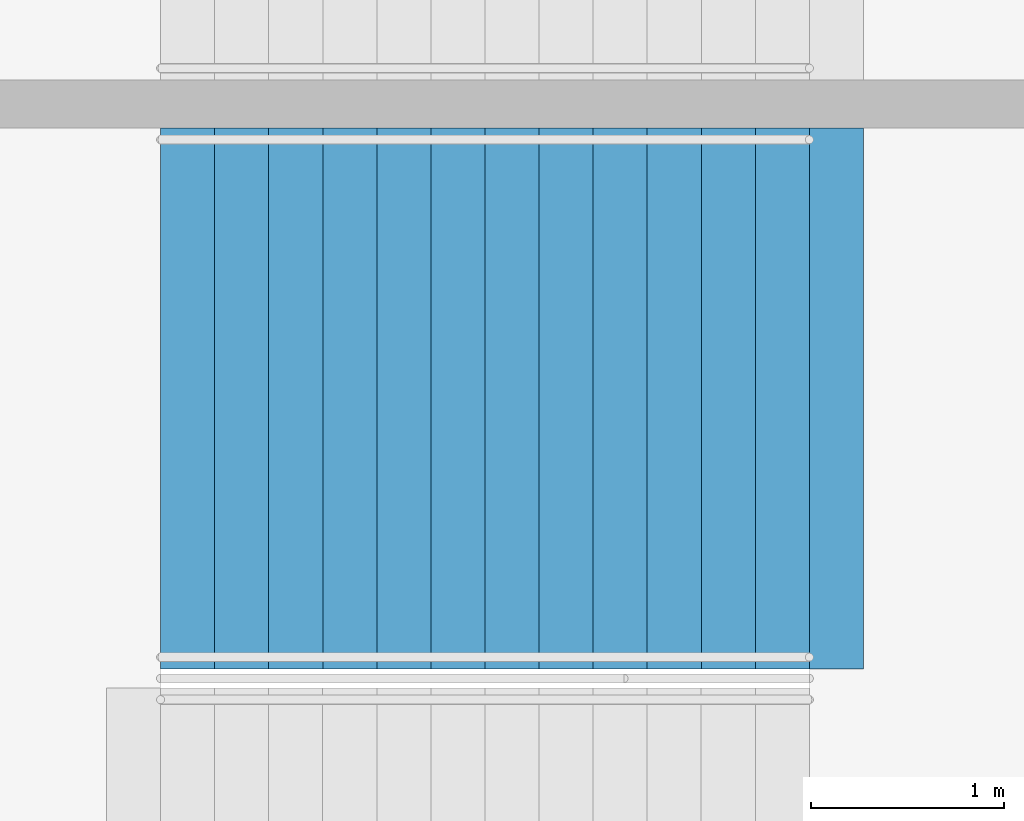
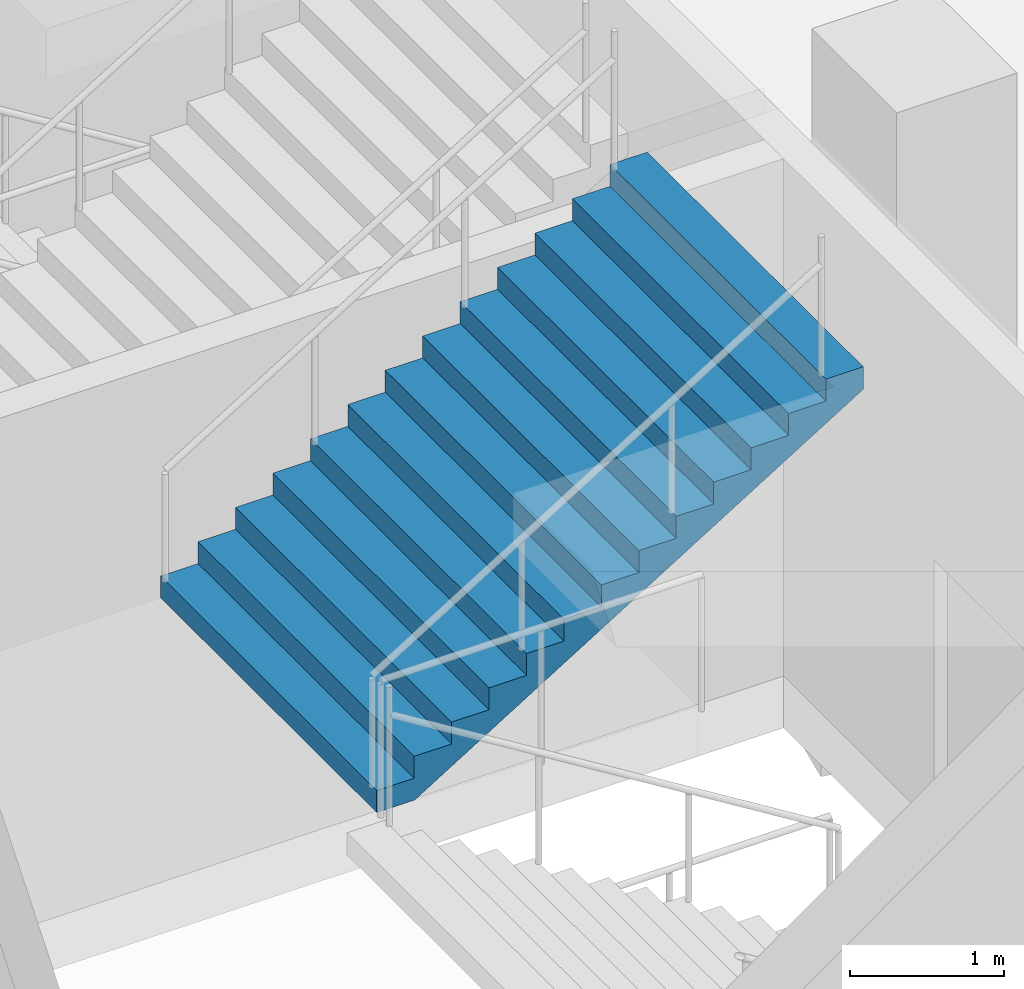
# One storey, part 191 of 249: 1 stair flight, 1 element without a shape of its own.
"""IFC4 building model written with IfcOpenShell, lengths in metres."""

from ifc_helpers import new_model, si_unit, direction, frame, origin, place, context, subcontext, project, spatial, faceted_brep, material, type_object, element, aggregate, save


model = new_model("IFC4")

# Units and contexts
model_context = context("Model", 3, precision=1e-05, world=origin(), true_north=direction((0.0, 1.0)))
body_context = subcontext(model_context, "Body", "Model", "MODEL_VIEW")
ifc_project = project(units=[si_unit("LENGTHUNIT", "METRE"), si_unit("AREAUNIT", "SQUARE_METRE"), si_unit("VOLUMEUNIT", "CUBIC_METRE"), si_unit("PLANEANGLEUNIT", "RADIAN"), si_unit("MASSUNIT", "GRAM", prefix="KILO")], contexts=[model_context])

# Site, building, storey
site_placement = place(None, origin())
site = spatial("IfcSite", under=ifc_project, at=site_placement, CompositionType="ELEMENT")
building_placement = place(site_placement, origin())
building = spatial("IfcBuilding", under=site, at=building_placement, Name="Ogive Plaza Stadium", CompositionType="ELEMENT")
storey_placement = place(building_placement, frame((0.0, 0.0, 13.5)))
storey = spatial("IfcBuildingStorey", under=building, at=storey_placement, Name="L03", CompositionType="ELEMENT", Elevation=13.5)

# Stair, stair flight
ifc_material_1 = material(Name="Concrete C40/50", Category="concrete")
stair_type = type_object("IfcStairType", Name="Exit stair", PredefinedType="STRAIGHT_RUN_STAIR", material=ifc_material_1)
stair_placement = place(storey_placement, origin())
stair = element("IfcStair", 1, at=stair_placement, inside=storey, type_object=stair_type, Name="Exit stair ST28B L03 to L04", PredefinedType="STRAIGHT_RUN_STAIR")
ifc_material_2 = material(Name="Concrete C40/50", Category="concrete")
stair_flight_type = type_object("IfcStairFlightType", Name="Exit stair flight", PredefinedType="STRAIGHT", material=ifc_material_2)
stair_flight_placement = place(storey_placement, frame((-79.7099609375, 50.97509765625, 2.25), z_axis=(0.0, 0.0, 1.0), x_axis=(1.0, 0.0, 0.0)))
stair_flight = element("IfcStairFlight", 2, at=stair_flight_placement, type_object=stair_flight_type, Name="ST28B flight 2", NumberOfRisers=13, NumberOfTreads=12, PredefinedType="STRAIGHT", RiserHeight=0.173076923, TreadLength=0.28, context=body_context, shape_type="Brep", body=[
    faceted_brep([(0.28515625, -1.39990234375, 0.0), (3.639892578125, -1.39990234375, 2.07373046875), (3.639892578125, -1.39990234375, 2.25), (3.360107421875, -1.39990234375, 2.25), (3.360107421875, -1.39990234375, 2.076904296875), (3.080078125, -1.39990234375, 2.076904296875), (3.080078125, -1.39990234375, 1.90380859375), (2.800048828125, -1.39990234375, 1.90380859375), (2.800048828125, -1.39990234375, 1.730712890625), (2.52001953125, -1.39990234375, 1.730712890625), (2.52001953125, -1.39990234375, 1.5576171875), (2.239990234375, -1.39990234375, 1.5576171875), (2.239990234375, -1.39990234375, 1.384521484375), (1.9599609375, -1.39990234375, 1.384521484375), (1.9599609375, -1.39990234375, 1.21142578125), (1.679931640625, -1.39990234375, 1.21142578125), (1.679931640625, -1.39990234375, 1.03857421875), (1.39990234375, -1.39990234375, 1.03857421875), (1.39990234375, -1.39990234375, 0.865478515625), (1.1201171875, -1.39990234375, 0.865478515625), (1.1201171875, -1.39990234375, 0.6923828125), (0.840087890625, -1.39990234375, 0.6923828125), (0.840087890625, -1.39990234375, 0.519287109375), (0.56005859375, -1.39990234375, 0.519287109375), (0.56005859375, -1.39990234375, 0.34619140625), (0.280029296875, -1.39990234375, 0.34619140625), (0.280029296875, -1.39990234375, 0.173095703125), (0.0, -1.39990234375, 0.173095703125), (0.0, -1.39990234375, 0.0), (0.0, 1.39990234375, 0.0), (0.0, 1.39990234375, 0.173095703125), (0.280029296875, 1.39990234375, 0.173095703125), (0.280029296875, 1.39990234375, 0.34619140625), (0.56005859375, 1.39990234375, 0.34619140625), (0.56005859375, 1.39990234375, 0.519287109375), (0.840087890625, 1.39990234375, 0.519287109375), (0.840087890625, 1.39990234375, 0.6923828125), (1.1201171875, 1.39990234375, 0.6923828125), (1.1201171875, 1.39990234375, 0.865478515625), (1.39990234375, 1.39990234375, 0.865478515625), (1.39990234375, 1.39990234375, 1.03857421875), (1.679931640625, 1.39990234375, 1.03857421875), (1.679931640625, 1.39990234375, 1.21142578125), (1.9599609375, 1.39990234375, 1.21142578125), (1.9599609375, 1.39990234375, 1.384521484375), (2.239990234375, 1.39990234375, 1.384521484375), (2.239990234375, 1.39990234375, 1.5576171875), (2.52001953125, 1.39990234375, 1.5576171875), (2.52001953125, 1.39990234375, 1.730712890625), (2.800048828125, 1.39990234375, 1.730712890625), (2.800048828125, 1.39990234375, 1.90380859375), (3.080078125, 1.39990234375, 1.90380859375), (3.080078125, 1.39990234375, 2.076904296875), (3.360107421875, 1.39990234375, 2.076904296875), (3.360107421875, 1.39990234375, 2.25), (3.639892578125, 1.39990234375, 2.25), (3.639892578125, 1.39990234375, 2.07373046875), (0.28515625, 1.39990234375, 0.0), (0.28515625, -1.0888671875, 0.0), (3.639892578125, -1.0888671875, 2.07373046875), (0.28515625, -0.77783203125, 0.0), (3.639892578125, -0.77783203125, 2.07373046875), (0.28515625, -0.466796875, 0.0), (3.639892578125, -0.466796875, 2.07373046875), (0.28515625, -0.155517578125, 0.0), (3.639892578125, -0.155517578125, 2.07373046875), (0.28515625, 0.155517578125, 0.0), (3.639892578125, 0.155517578125, 2.07373046875), (0.28515625, 0.466796875, 0.0), (3.639892578125, 0.466796875, 2.07373046875), (0.28515625, 0.77783203125, 0.0), (3.639892578125, 0.77783203125, 2.07373046875), (0.28515625, 1.0888671875, 0.0), (3.639892578125, 1.0888671875, 2.07373046875), (3.639892578125, -1.0888671875, 2.25), (3.639892578125, -0.77783203125, 2.25), (3.639892578125, -0.466796875, 2.25), (3.639892578125, -0.155517578125, 2.25), (3.639892578125, 0.155517578125, 2.25), (3.639892578125, 0.466796875, 2.25), (3.639892578125, 0.77783203125, 2.25), (3.639892578125, 1.0888671875, 2.25), (3.360107421875, -1.0888671875, 2.25), (3.360107421875, -0.77783203125, 2.25), (3.360107421875, -0.466796875, 2.25), (3.360107421875, -0.155517578125, 2.25), (3.360107421875, 0.155517578125, 2.25), (3.360107421875, 0.466796875, 2.25), (3.360107421875, 0.77783203125, 2.25), (3.360107421875, 1.0888671875, 2.25), (3.360107421875, -1.0888671875, 2.076904296875), (3.360107421875, -0.77783203125, 2.076904296875), (3.360107421875, -0.466796875, 2.076904296875), (3.360107421875, -0.155517578125, 2.076904296875), (3.360107421875, 0.155517578125, 2.076904296875), (3.360107421875, 0.466796875, 2.076904296875), (3.360107421875, 0.77783203125, 2.076904296875), (3.360107421875, 1.0888671875, 2.076904296875), (3.080078125, -1.0888671875, 2.076904296875), (3.080078125, -0.77783203125, 2.076904296875), (3.080078125, -0.466796875, 2.076904296875), (3.080078125, -0.155517578125, 2.076904296875), (3.080078125, 0.155517578125, 2.076904296875), (3.080078125, 0.466796875, 2.076904296875), (3.080078125, 0.77783203125, 2.076904296875), (3.080078125, 1.0888671875, 2.076904296875), (3.080078125, -1.0888671875, 1.90380859375), (3.080078125, -0.77783203125, 1.90380859375), (3.080078125, -0.466796875, 1.90380859375), (3.080078125, -0.155517578125, 1.90380859375), (3.080078125, 0.155517578125, 1.90380859375), (3.080078125, 0.466796875, 1.90380859375), (3.080078125, 0.77783203125, 1.90380859375), (3.080078125, 1.0888671875, 1.90380859375), (2.800048828125, -1.0888671875, 1.90380859375), (2.800048828125, -0.77783203125, 1.90380859375), (2.800048828125, -0.466796875, 1.90380859375), (2.800048828125, -0.155517578125, 1.90380859375), (2.800048828125, 0.155517578125, 1.90380859375), (2.800048828125, 0.466796875, 1.90380859375), (2.800048828125, 0.77783203125, 1.90380859375), (2.800048828125, 1.0888671875, 1.90380859375), (2.800048828125, -1.0888671875, 1.730712890625), (2.800048828125, -0.77783203125, 1.730712890625), (2.800048828125, -0.466796875, 1.730712890625), (2.800048828125, -0.155517578125, 1.730712890625), (2.800048828125, 0.155517578125, 1.730712890625), (2.800048828125, 0.466796875, 1.730712890625), (2.800048828125, 0.77783203125, 1.730712890625), (2.800048828125, 1.0888671875, 1.730712890625), (2.52001953125, -1.0888671875, 1.730712890625), (2.52001953125, -0.77783203125, 1.730712890625), (2.52001953125, -0.466796875, 1.730712890625), (2.52001953125, -0.155517578125, 1.730712890625), (2.52001953125, 0.155517578125, 1.730712890625), (2.52001953125, 0.466796875, 1.730712890625), (2.52001953125, 0.77783203125, 1.730712890625), (2.52001953125, 1.0888671875, 1.730712890625), (2.52001953125, -1.0888671875, 1.5576171875), (2.52001953125, -0.77783203125, 1.5576171875), (2.52001953125, -0.466796875, 1.5576171875), (2.52001953125, -0.155517578125, 1.5576171875), (2.52001953125, 0.155517578125, 1.5576171875), (2.52001953125, 0.466796875, 1.5576171875), (2.52001953125, 0.77783203125, 1.5576171875), (2.52001953125, 1.0888671875, 1.5576171875), (2.239990234375, -1.0888671875, 1.5576171875), (2.239990234375, -0.77783203125, 1.5576171875), (2.239990234375, -0.466796875, 1.5576171875), (2.239990234375, -0.155517578125, 1.5576171875), (2.239990234375, 0.155517578125, 1.5576171875), (2.239990234375, 0.466796875, 1.5576171875), (2.239990234375, 0.77783203125, 1.5576171875), (2.239990234375, 1.0888671875, 1.5576171875), (2.239990234375, -1.0888671875, 1.384521484375), (2.239990234375, -0.77783203125, 1.384521484375), (2.239990234375, -0.466796875, 1.384521484375), (2.239990234375, -0.155517578125, 1.384521484375), (2.239990234375, 0.155517578125, 1.384521484375), (2.239990234375, 0.466796875, 1.384521484375), (2.239990234375, 0.77783203125, 1.384521484375), (2.239990234375, 1.0888671875, 1.384521484375), (1.9599609375, -1.0888671875, 1.384521484375), (1.9599609375, -0.77783203125, 1.384521484375), (1.9599609375, -0.466796875, 1.384521484375), (1.9599609375, -0.155517578125, 1.384521484375), (1.9599609375, 0.155517578125, 1.384521484375), (1.9599609375, 0.466796875, 1.384521484375), (1.9599609375, 0.77783203125, 1.384521484375), (1.9599609375, 1.0888671875, 1.384521484375), (1.9599609375, -1.0888671875, 1.21142578125), (1.9599609375, -0.77783203125, 1.21142578125), (1.9599609375, -0.466796875, 1.21142578125), (1.9599609375, -0.155517578125, 1.21142578125), (1.9599609375, 0.155517578125, 1.21142578125), (1.9599609375, 0.466796875, 1.21142578125), (1.9599609375, 0.77783203125, 1.21142578125), (1.9599609375, 1.0888671875, 1.21142578125), (1.679931640625, -1.0888671875, 1.21142578125), (1.679931640625, -0.77783203125, 1.21142578125), (1.679931640625, -0.466796875, 1.21142578125), (1.679931640625, -0.155517578125, 1.21142578125), (1.679931640625, 0.155517578125, 1.21142578125), (1.679931640625, 0.466796875, 1.21142578125), (1.679931640625, 0.77783203125, 1.21142578125), (1.679931640625, 1.0888671875, 1.21142578125), (1.679931640625, -1.0888671875, 1.03857421875), (1.679931640625, -0.77783203125, 1.03857421875), (1.679931640625, -0.466796875, 1.03857421875), (1.679931640625, -0.155517578125, 1.03857421875), (1.679931640625, 0.155517578125, 1.03857421875), (1.679931640625, 0.466796875, 1.03857421875), (1.679931640625, 0.77783203125, 1.03857421875), (1.679931640625, 1.0888671875, 1.03857421875), (1.39990234375, -1.0888671875, 1.03857421875), (1.39990234375, -0.77783203125, 1.03857421875), (1.39990234375, -0.466796875, 1.03857421875), (1.39990234375, -0.155517578125, 1.03857421875), (1.39990234375, 0.155517578125, 1.03857421875), (1.39990234375, 0.466796875, 1.03857421875), (1.39990234375, 0.77783203125, 1.03857421875), (1.39990234375, 1.0888671875, 1.03857421875), (1.39990234375, -1.0888671875, 0.865478515625), (1.39990234375, -0.77783203125, 0.865478515625), (1.39990234375, -0.466796875, 0.865478515625), (1.39990234375, -0.155517578125, 0.865478515625), (1.39990234375, 0.155517578125, 0.865478515625), (1.39990234375, 0.466796875, 0.865478515625), (1.39990234375, 0.77783203125, 0.865478515625), (1.39990234375, 1.0888671875, 0.865478515625), (1.1201171875, -1.0888671875, 0.865478515625), (1.1201171875, -0.77783203125, 0.865478515625), (1.1201171875, -0.466796875, 0.865478515625), (1.1201171875, -0.155517578125, 0.865478515625), (1.1201171875, 0.155517578125, 0.865478515625), (1.1201171875, 0.466796875, 0.865478515625), (1.1201171875, 0.77783203125, 0.865478515625), (1.1201171875, 1.0888671875, 0.865478515625), (1.1201171875, -1.0888671875, 0.6923828125), (1.1201171875, -0.77783203125, 0.6923828125), (1.1201171875, -0.466796875, 0.6923828125), (1.1201171875, -0.155517578125, 0.6923828125), (1.1201171875, 0.155517578125, 0.6923828125), (1.1201171875, 0.466796875, 0.6923828125), (1.1201171875, 0.77783203125, 0.6923828125), (1.1201171875, 1.0888671875, 0.6923828125), (0.840087890625, -1.0888671875, 0.6923828125), (0.840087890625, -0.77783203125, 0.6923828125), (0.840087890625, -0.466796875, 0.6923828125), (0.840087890625, -0.155517578125, 0.6923828125), (0.840087890625, 0.155517578125, 0.6923828125), (0.840087890625, 0.466796875, 0.6923828125), (0.840087890625, 0.77783203125, 0.6923828125), (0.840087890625, 1.0888671875, 0.6923828125), (0.840087890625, -1.0888671875, 0.519287109375), (0.840087890625, -0.77783203125, 0.519287109375), (0.840087890625, -0.466796875, 0.519287109375), (0.840087890625, -0.155517578125, 0.519287109375), (0.840087890625, 0.155517578125, 0.519287109375), (0.840087890625, 0.466796875, 0.519287109375), (0.840087890625, 0.77783203125, 0.519287109375), (0.840087890625, 1.0888671875, 0.519287109375), (0.56005859375, -1.0888671875, 0.519287109375), (0.56005859375, -0.77783203125, 0.519287109375), (0.56005859375, -0.466796875, 0.519287109375), (0.56005859375, -0.155517578125, 0.519287109375), (0.56005859375, 0.155517578125, 0.519287109375), (0.56005859375, 0.466796875, 0.519287109375), (0.56005859375, 0.77783203125, 0.519287109375), (0.56005859375, 1.0888671875, 0.519287109375), (0.56005859375, -1.0888671875, 0.34619140625), (0.56005859375, -0.77783203125, 0.34619140625), (0.56005859375, -0.466796875, 0.34619140625), (0.56005859375, -0.155517578125, 0.34619140625), (0.56005859375, 0.155517578125, 0.34619140625), (0.56005859375, 0.466796875, 0.34619140625), (0.56005859375, 0.77783203125, 0.34619140625), (0.56005859375, 1.0888671875, 0.34619140625), (0.280029296875, -1.0888671875, 0.34619140625), (0.280029296875, -0.77783203125, 0.34619140625), (0.280029296875, -0.466796875, 0.34619140625), (0.280029296875, -0.155517578125, 0.34619140625), (0.280029296875, 0.155517578125, 0.34619140625), (0.280029296875, 0.466796875, 0.34619140625), (0.280029296875, 0.77783203125, 0.34619140625), (0.280029296875, 1.0888671875, 0.34619140625), (0.280029296875, -1.0888671875, 0.173095703125), (0.280029296875, -0.77783203125, 0.173095703125), (0.280029296875, -0.466796875, 0.173095703125), (0.280029296875, -0.155517578125, 0.173095703125), (0.280029296875, 0.155517578125, 0.173095703125), (0.280029296875, 0.466796875, 0.173095703125), (0.280029296875, 0.77783203125, 0.173095703125), (0.280029296875, 1.0888671875, 0.173095703125), (0.0, -1.0888671875, 0.173095703125), (0.0, -0.77783203125, 0.173095703125), (0.0, -0.466796875, 0.173095703125), (0.0, -0.155517578125, 0.173095703125), (0.0, 0.155517578125, 0.173095703125), (0.0, 0.466796875, 0.173095703125), (0.0, 0.77783203125, 0.173095703125), (0.0, 1.0888671875, 0.173095703125), (0.0, -1.0888671875, 0.0), (0.0, -0.77783203125, 0.0), (0.0, -0.466796875, 0.0), (0.0, -0.155517578125, 0.0), (0.0, 0.155517578125, 0.0), (0.0, 0.466796875, 0.0), (0.0, 0.77783203125, 0.0), (0.0, 1.0888671875, 0.0)], [[[0, 1, 2, 3, 4, 5, 6, 7, 8, 9, 10, 11, 12, 13, 14, 15, 16, 17, 18, 19, 20, 21, 22, 23, 24, 25, 26, 27, 28]], [[29, 30, 31, 32, 33, 34, 35, 36, 37, 38, 39, 40, 41, 42, 43, 44, 45, 46, 47, 48, 49, 50, 51, 52, 53, 54, 55, 56, 57]], [[0, 58, 59, 1]], [[58, 60, 61, 59]], [[60, 62, 63, 61]], [[62, 64, 65, 63]], [[64, 66, 67, 65]], [[66, 68, 69, 67]], [[68, 70, 71, 69]], [[70, 72, 73, 71]], [[72, 57, 56, 73]], [[1, 59, 74, 2]], [[59, 61, 75, 74]], [[61, 63, 76, 75]], [[63, 65, 77, 76]], [[65, 67, 78, 77]], [[67, 69, 79, 78]], [[69, 71, 80, 79]], [[71, 73, 81, 80]], [[73, 56, 55, 81]], [[2, 74, 82, 3]], [[74, 75, 83, 82]], [[75, 76, 84, 83]], [[76, 77, 85, 84]], [[77, 78, 86, 85]], [[78, 79, 87, 86]], [[79, 80, 88, 87]], [[80, 81, 89, 88]], [[81, 55, 54, 89]], [[3, 82, 90, 4]], [[82, 83, 91, 90]], [[83, 84, 92, 91]], [[84, 85, 93, 92]], [[85, 86, 94, 93]], [[86, 87, 95, 94]], [[87, 88, 96, 95]], [[88, 89, 97, 96]], [[89, 54, 53, 97]], [[4, 90, 98, 5]], [[90, 91, 99, 98]], [[91, 92, 100, 99]], [[92, 93, 101, 100]], [[93, 94, 102, 101]], [[94, 95, 103, 102]], [[95, 96, 104, 103]], [[96, 97, 105, 104]], [[97, 53, 52, 105]], [[5, 98, 106, 6]], [[98, 99, 107, 106]], [[99, 100, 108, 107]], [[100, 101, 109, 108]], [[101, 102, 110, 109]], [[102, 103, 111, 110]], [[103, 104, 112, 111]], [[104, 105, 113, 112]], [[105, 52, 51, 113]], [[6, 106, 114, 7]], [[106, 107, 115, 114]], [[107, 108, 116, 115]], [[108, 109, 117, 116]], [[109, 110, 118, 117]], [[110, 111, 119, 118]], [[111, 112, 120, 119]], [[112, 113, 121, 120]], [[113, 51, 50, 121]], [[7, 114, 122, 8]], [[114, 115, 123, 122]], [[115, 116, 124, 123]], [[116, 117, 125, 124]], [[117, 118, 126, 125]], [[118, 119, 127, 126]], [[119, 120, 128, 127]], [[120, 121, 129, 128]], [[121, 50, 49, 129]], [[8, 122, 130, 9]], [[122, 123, 131, 130]], [[123, 124, 132, 131]], [[124, 125, 133, 132]], [[125, 126, 134, 133]], [[126, 127, 135, 134]], [[127, 128, 136, 135]], [[128, 129, 137, 136]], [[129, 49, 48, 137]], [[9, 130, 138, 10]], [[130, 131, 139, 138]], [[131, 132, 140, 139]], [[132, 133, 141, 140]], [[133, 134, 142, 141]], [[134, 135, 143, 142]], [[135, 136, 144, 143]], [[136, 137, 145, 144]], [[137, 48, 47, 145]], [[10, 138, 146, 11]], [[138, 139, 147, 146]], [[139, 140, 148, 147]], [[140, 141, 149, 148]], [[141, 142, 150, 149]], [[142, 143, 151, 150]], [[143, 144, 152, 151]], [[144, 145, 153, 152]], [[145, 47, 46, 153]], [[11, 146, 154, 12]], [[146, 147, 155, 154]], [[147, 148, 156, 155]], [[148, 149, 157, 156]], [[149, 150, 158, 157]], [[150, 151, 159, 158]], [[151, 152, 160, 159]], [[152, 153, 161, 160]], [[153, 46, 45, 161]], [[12, 154, 162, 13]], [[154, 155, 163, 162]], [[155, 156, 164, 163]], [[156, 157, 165, 164]], [[157, 158, 166, 165]], [[158, 159, 167, 166]], [[159, 160, 168, 167]], [[160, 161, 169, 168]], [[161, 45, 44, 169]], [[13, 162, 170, 14]], [[162, 163, 171, 170]], [[163, 164, 172, 171]], [[164, 165, 173, 172]], [[165, 166, 174, 173]], [[166, 167, 175, 174]], [[167, 168, 176, 175]], [[168, 169, 177, 176]], [[169, 44, 43, 177]], [[14, 170, 178, 15]], [[170, 171, 179, 178]], [[171, 172, 180, 179]], [[172, 173, 181, 180]], [[173, 174, 182, 181]], [[174, 175, 183, 182]], [[175, 176, 184, 183]], [[176, 177, 185, 184]], [[177, 43, 42, 185]], [[15, 178, 186, 16]], [[178, 179, 187, 186]], [[179, 180, 188, 187]], [[180, 181, 189, 188]], [[181, 182, 190, 189]], [[182, 183, 191, 190]], [[183, 184, 192, 191]], [[184, 185, 193, 192]], [[185, 42, 41, 193]], [[16, 186, 194, 17]], [[186, 187, 195, 194]], [[187, 188, 196, 195]], [[188, 189, 197, 196]], [[189, 190, 198, 197]], [[190, 191, 199, 198]], [[191, 192, 200, 199]], [[192, 193, 201, 200]], [[193, 41, 40, 201]], [[17, 194, 202, 18]], [[194, 195, 203, 202]], [[195, 196, 204, 203]], [[196, 197, 205, 204]], [[197, 198, 206, 205]], [[198, 199, 207, 206]], [[199, 200, 208, 207]], [[200, 201, 209, 208]], [[201, 40, 39, 209]], [[18, 202, 210, 19]], [[202, 203, 211, 210]], [[203, 204, 212, 211]], [[204, 205, 213, 212]], [[205, 206, 214, 213]], [[206, 207, 215, 214]], [[207, 208, 216, 215]], [[208, 209, 217, 216]], [[209, 39, 38, 217]], [[19, 210, 218, 20]], [[210, 211, 219, 218]], [[211, 212, 220, 219]], [[212, 213, 221, 220]], [[213, 214, 222, 221]], [[214, 215, 223, 222]], [[215, 216, 224, 223]], [[216, 217, 225, 224]], [[217, 38, 37, 225]], [[20, 218, 226, 21]], [[218, 219, 227, 226]], [[219, 220, 228, 227]], [[220, 221, 229, 228]], [[221, 222, 230, 229]], [[222, 223, 231, 230]], [[223, 224, 232, 231]], [[224, 225, 233, 232]], [[225, 37, 36, 233]], [[21, 226, 234, 22]], [[226, 227, 235, 234]], [[227, 228, 236, 235]], [[228, 229, 237, 236]], [[229, 230, 238, 237]], [[230, 231, 239, 238]], [[231, 232, 240, 239]], [[232, 233, 241, 240]], [[233, 36, 35, 241]], [[22, 234, 242, 23]], [[234, 235, 243, 242]], [[235, 236, 244, 243]], [[236, 237, 245, 244]], [[237, 238, 246, 245]], [[238, 239, 247, 246]], [[239, 240, 248, 247]], [[240, 241, 249, 248]], [[241, 35, 34, 249]], [[23, 242, 250, 24]], [[242, 243, 251, 250]], [[243, 244, 252, 251]], [[244, 245, 253, 252]], [[245, 246, 254, 253]], [[246, 247, 255, 254]], [[247, 248, 256, 255]], [[248, 249, 257, 256]], [[249, 34, 33, 257]], [[24, 250, 258, 25]], [[250, 251, 259, 258]], [[251, 252, 260, 259]], [[252, 253, 261, 260]], [[253, 254, 262, 261]], [[254, 255, 263, 262]], [[255, 256, 264, 263]], [[256, 257, 265, 264]], [[257, 33, 32, 265]], [[25, 258, 266, 26]], [[258, 259, 267, 266]], [[259, 260, 268, 267]], [[260, 261, 269, 268]], [[261, 262, 270, 269]], [[262, 263, 271, 270]], [[263, 264, 272, 271]], [[264, 265, 273, 272]], [[265, 32, 31, 273]], [[26, 266, 274, 27]], [[266, 267, 275, 274]], [[267, 268, 276, 275]], [[268, 269, 277, 276]], [[269, 270, 278, 277]], [[270, 271, 279, 278]], [[271, 272, 280, 279]], [[272, 273, 281, 280]], [[273, 31, 30, 281]], [[27, 274, 282, 28]], [[274, 275, 283, 282]], [[275, 276, 284, 283]], [[276, 277, 285, 284]], [[277, 278, 286, 285]], [[278, 279, 287, 286]], [[279, 280, 288, 287]], [[280, 281, 289, 288]], [[281, 30, 29, 289]], [[28, 282, 58, 0]], [[282, 283, 60, 58]], [[283, 284, 62, 60]], [[284, 285, 64, 62]], [[285, 286, 66, 64]], [[286, 287, 68, 66]], [[287, 288, 70, 68]], [[288, 289, 72, 70]], [[289, 29, 57, 72]]]),
])
aggregate(stair, [stair_flight])

save(model, "model.ifc")
